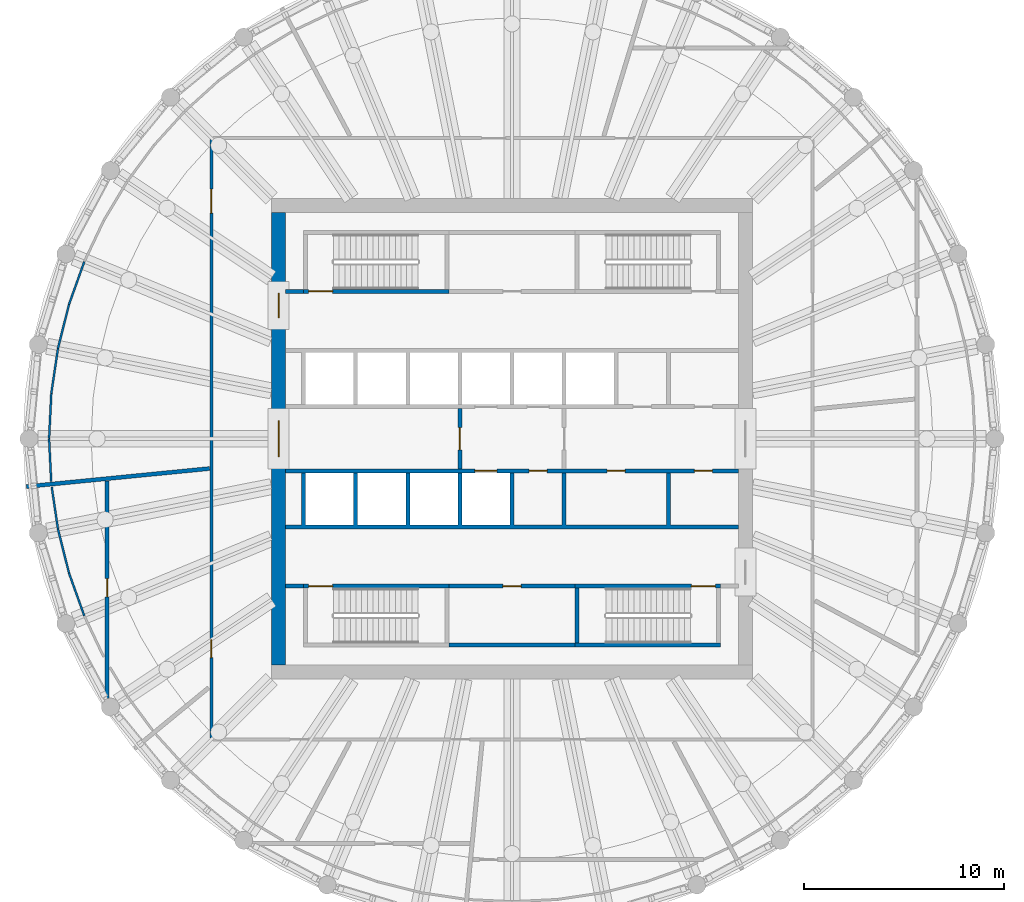
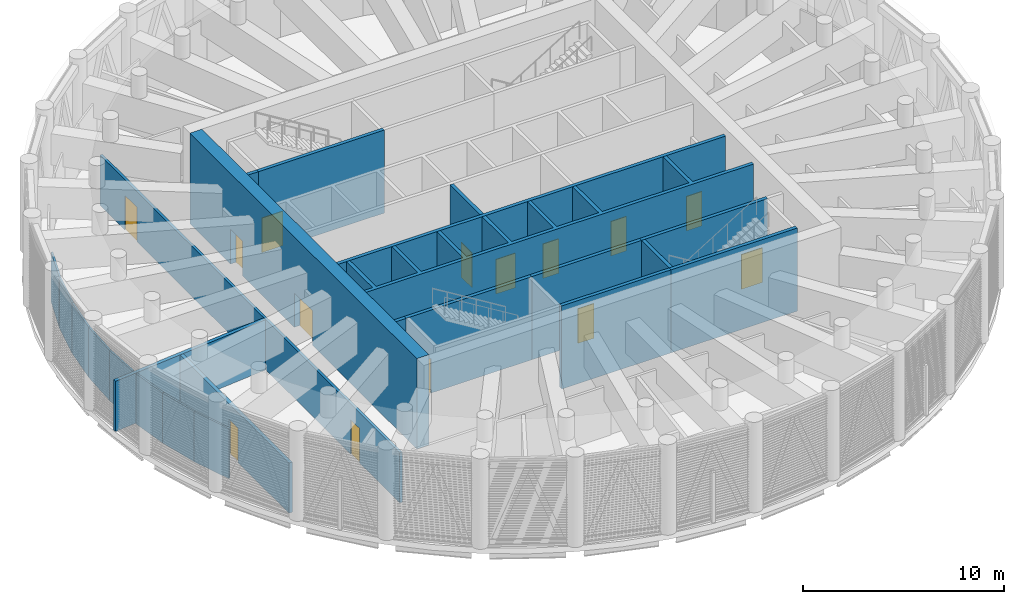
# One storey, part 6 of 19: 24 walls, 14 doors, 14 openings.
"""IFC4 building model written with IfcOpenShell, lengths in metres."""

from ifc_helpers import new_model, si_unit, direction, frame, frame_2d, origin, place, context, subcontext, project, spatial, polyline, rectangle, outline, extrude, material, layer, layer_set, type_object, element, fill, save


model = new_model("IFC4")

# Units and contexts
model_context = context("Model", 3, precision=1e-05, world=origin(), true_north=direction((0.0, 1.0)))
body_context = subcontext(model_context, "Body", "Model", "MODEL_VIEW")
ifc_project = project(units=[si_unit("LENGTHUNIT", "METRE"), si_unit("AREAUNIT", "SQUARE_METRE"), si_unit("VOLUMEUNIT", "CUBIC_METRE"), si_unit("PLANEANGLEUNIT", "RADIAN"), si_unit("MASSUNIT", "GRAM", prefix="KILO")], contexts=[model_context])

# Site, building, storey
site_placement = place(None, origin())
site = spatial("IfcSite", under=ifc_project, at=site_placement, CompositionType="ELEMENT")
building_placement = place(site_placement, origin())
building = spatial("IfcBuilding", under=site, at=building_placement, Name="Corvane Civic Tower", CompositionType="ELEMENT")
storey_placement = place(building_placement, frame((0.0, 0.0, 319.0)))
storey = spatial("IfcBuildingStorey", under=building, at=storey_placement, Name="L76", CompositionType="ELEMENT", Elevation=319.0)

# Wall, openings, doors
ifc_material_1 = material(Name="Concrete C40/50", Category="concrete")
ifc_layer_1 = layer(ifc_material_1, 0.699951171875)
ifc_layer_set_1 = layer_set([ifc_layer_1], Name="Concrete C40/50")
wall_type_1 = type_object("IfcWallType", Name="CORE WALL 700 C40/50", PredefinedType="SHEAR", material=ifc_layer_set_1)
wall_1_placement = place(storey_placement, frame((-11.64990234375, -11.300048828125, 0.0), z_axis=(0.0, 0.0, 1.0), x_axis=(0.0, 1.0, 0.0)))
wall_1 = element("IfcWall", 1, at=wall_1_placement, inside=storey, type_object=wall_type_1, Name="W-L76-core-W", PredefinedType="SHEAR", context=body_context, shape_type="SweptSolid", body=[
    extrude(rectangle(XDim=22.60009765625, YDim=0.699951171875, at=frame_2d((11.300048828125, 0.0))), origin(), (0.0, 0.0, 1.0), 5.5),
])
opening_1_placement = place(wall_1_placement, frame((10.39990234375, 0.0, 0.0)))
opening_1 = element("IfcOpeningElement", 2, at=opening_1_placement, cuts=wall_1, Name="Opening L76.C14", PredefinedType="OPENING", context=body_context, shape_type="SweptSolid", body=[
    extrude(rectangle(XDim=1.800048828125, YDim=2.10009765625, at=frame_2d((0.89990234375, 1.050048828125))), frame((0.0, 0.35986328125, 0.0), z_axis=(0.0, -1.0, 0.0), x_axis=(1.0, 0.0, 0.0)), (0.0, 0.0, 1.0), 0.719970703125),
])
opening_2_placement = place(wall_1_placement, frame((17.35009765625, 0.0, 0.0)))
opening_2 = element("IfcOpeningElement", 3, at=opening_2_placement, cuts=wall_1, Name="Opening L76.C16", PredefinedType="OPENING", context=body_context, shape_type="SweptSolid", body=[
    extrude(rectangle(XDim=1.199951171875, YDim=2.10009765625, at=frame_2d((0.60009765625, 1.050048828125))), frame((0.0, 0.35986328125, 0.0), z_axis=(0.0, -1.0, 0.0), x_axis=(1.0, 0.0, 0.0)), (0.0, 0.0, 1.0), 0.719970703125),
])
ifc_material_2 = material(Name="Steel fire door leaf", Category="steel")
door_type_1 = type_object("IfcDoorType", Name="CR-DOOR-CORE-1800", OperationType="DOUBLE_DOOR_SINGLE_SWING", PredefinedType="DOOR", material=ifc_material_2)
door_1_placement = place(opening_1_placement, origin())
door_1 = element("IfcDoor", 4, at=door_1_placement, inside=storey, type_object=door_type_1, Name="L76 door", OperationType="DOUBLE_DOOR_SINGLE_SWING", OverallHeight=2.10009765625, OverallWidth=1.800048828125, PredefinedType="DOOR", context=body_context, shape_type="SweptSolid", body=[
    extrude(rectangle(XDim=1.800048828125, YDim=2.10009765625, at=frame_2d((0.89990234375, 1.050048828125))), frame((0.0, 0.02490234375, 0.0), z_axis=(0.0, -1.0, 0.0), x_axis=(1.0, 0.0, 0.0)), (0.0, 0.0, 1.0), 0.050048828125),
])
fill(opening_1, door_1)
door_2_placement = place(opening_2_placement, origin())
door_2 = element("IfcDoor", 5, at=door_2_placement, inside=storey, type_object=door_type_1, Name="L76 door", OperationType="DOUBLE_DOOR_SINGLE_SWING", OverallHeight=2.10009765625, OverallWidth=1.199951171875, PredefinedType="DOOR", context=body_context, shape_type="SweptSolid", body=[
    extrude(rectangle(XDim=1.199951171875, YDim=2.10009765625, at=frame_2d((0.60009765625, 1.050048828125))), frame((0.0, 0.02490234375, 0.0), z_axis=(0.0, -1.0, 0.0), x_axis=(1.0, 0.0, 0.0)), (0.0, 0.0, 1.0), 0.050048828125),
])
fill(opening_2, door_2)

# Wall, opening, door
ifc_material_3 = material(Name="Concrete C30/37", Category="concrete")
ifc_layer_2 = layer(ifc_material_3, 0.199951171875)
ifc_layer_set_2 = layer_set([ifc_layer_2], Name="Concrete C30/37")
wall_type_2 = type_object("IfcWallType", Name="CR-WALL-200", PredefinedType="PARTITIONING", material=ifc_layer_set_2)
wall_2_placement = place(storey_placement, frame((-3.14990234375, -7.35009765625, 0.0), z_axis=(0.0, 0.0, 1.0), x_axis=(1.0, 0.0, 0.0)))
wall_2 = element("IfcWall", 6, at=wall_2_placement, inside=storey, type_object=wall_type_2, Name="L76 core partition wall", PredefinedType="PARTITIONING", context=body_context, shape_type="SweptSolid", body=[
    extrude(rectangle(XDim=6.2998046875, YDim=0.199951171875, at=frame_2d((3.14990234375, 0.0))), origin(), (0.0, 0.0, 1.0), 5.050048828125),
])
opening_3_placement = place(wall_2_placement, frame((2.699951171875, 0.0, 0.0)))
opening_3 = element("IfcOpeningElement", 7, at=opening_3_placement, cuts=wall_2, Name="Opening L76.C07", PredefinedType="OPENING", context=body_context, shape_type="SweptSolid", body=[
    extrude(rectangle(XDim=0.89990234375, YDim=2.10009765625, at=frame_2d((0.449951171875, 1.050048828125))), frame((0.0, 0.10986328125, 0.0), z_axis=(0.0, -1.0, 0.0), x_axis=(1.0, 0.0, 0.0)), (0.0, 0.0, 1.0), 0.219970703125),
])
ifc_material_4 = material(Name="Steel fire door leaf", Category="steel")
door_type_2 = type_object("IfcDoorType", Name="CR-DOOR-900", OperationType="SINGLE_SWING_LEFT", PredefinedType="DOOR", material=ifc_material_4)
door_3_placement = place(opening_3_placement, origin())
door_3 = element("IfcDoor", 8, at=door_3_placement, inside=storey, type_object=door_type_2, Name="L76 door", OperationType="SINGLE_SWING_LEFT", OverallHeight=2.10009765625, OverallWidth=0.89990234375, PredefinedType="DOOR", context=body_context, shape_type="SweptSolid", body=[
    extrude(rectangle(XDim=0.89990234375, YDim=2.10009765625, at=frame_2d((0.449951171875, 1.050048828125))), frame((0.0, 0.02490234375, 0.0), z_axis=(0.0, -1.0, 0.0), x_axis=(1.0, 0.0, 0.0)), (0.0, 0.0, 1.0), 0.050048828125),
])
fill(opening_3, door_3)

# Wall, openings, doors
wall_3_placement = place(storey_placement, frame((-11.300048828125, -1.60009765625, 0.0), z_axis=(0.0, 0.0, 1.0), x_axis=(1.0, 0.0, 0.0)))
wall_3 = element("IfcWall", 9, at=wall_3_placement, inside=storey, type_object=wall_type_2, Name="L76 lift shaft wall", PredefinedType="PARTITIONING", context=body_context, shape_type="SweptSolid", body=[
    extrude(rectangle(XDim=22.60009765625, YDim=0.199951171875, at=frame_2d((11.300048828125, 0.0))), origin(), (0.0, 0.0, 1.0), 5.050048828125),
])
opening_4_placement = place(wall_3_placement, frame((9.449951171875, 0.0, 0.0)))
opening_4 = element("IfcOpeningElement", 10, at=opening_4_placement, cuts=wall_3, Name="Opening LD", PredefinedType="OPENING", context=body_context, shape_type="SweptSolid", body=[
    extrude(rectangle(XDim=1.10009765625, YDim=2.10009765625, at=frame_2d((0.550048828125, 1.050048828125))), frame((0.0, 0.10986328125, 0.0), z_axis=(0.0, -1.0, 0.0), x_axis=(1.0, 0.0, 0.0)), (0.0, 0.0, 1.0), 0.219970703125),
])
opening_5_placement = place(wall_3_placement, frame((12.14990234375, 0.0, 0.0)))
opening_5 = element("IfcOpeningElement", 11, at=opening_5_placement, cuts=wall_3, Name="Opening L76.C03", PredefinedType="OPENING", context=body_context, shape_type="SweptSolid", body=[
    extrude(rectangle(XDim=0.89990234375, YDim=2.10009765625, at=frame_2d((0.449951171875, 1.050048828125))), frame((0.0, 0.10986328125, 0.0), z_axis=(0.0, -1.0, 0.0), x_axis=(1.0, 0.0, 0.0)), (0.0, 0.0, 1.0), 0.219970703125),
])
opening_6_placement = place(wall_3_placement, frame((16.050048828125, 0.0, 0.0)))
opening_6 = element("IfcOpeningElement", 12, at=opening_6_placement, cuts=wall_3, Name="Opening L76.C04", PredefinedType="OPENING", context=body_context, shape_type="SweptSolid", body=[
    extrude(rectangle(XDim=0.89990234375, YDim=2.10009765625, at=frame_2d((0.449951171875, 1.050048828125))), frame((0.0, 0.10986328125, 0.0), z_axis=(0.0, -1.0, 0.0), x_axis=(1.0, 0.0, 0.0)), (0.0, 0.0, 1.0), 0.219970703125),
])
opening_7_placement = place(wall_3_placement, frame((20.39990234375, 0.0, 0.0)))
opening_7 = element("IfcOpeningElement", 13, at=opening_7_placement, cuts=wall_3, Name="Opening L76.C05", PredefinedType="OPENING", context=body_context, shape_type="SweptSolid", body=[
    extrude(rectangle(XDim=0.89990234375, YDim=2.10009765625, at=frame_2d((0.449951171875, 1.050048828125))), frame((0.0, 0.10986328125, 0.0), z_axis=(0.0, -1.0, 0.0), x_axis=(1.0, 0.0, 0.0)), (0.0, 0.0, 1.0), 0.219970703125),
])
door_4_placement = place(opening_5_placement, origin())
door_4 = element("IfcDoor", 14, at=door_4_placement, inside=storey, type_object=door_type_2, Name="L76 door", OperationType="SINGLE_SWING_LEFT", OverallHeight=2.10009765625, OverallWidth=0.89990234375, PredefinedType="DOOR", context=body_context, shape_type="SweptSolid", body=[
    extrude(rectangle(XDim=0.89990234375, YDim=2.10009765625, at=frame_2d((0.449951171875, 1.050048828125))), frame((0.0, 0.02490234375, 0.0), z_axis=(0.0, -1.0, 0.0), x_axis=(1.0, 0.0, 0.0)), (0.0, 0.0, 1.0), 0.050048828125),
])
fill(opening_5, door_4)
door_5_placement = place(opening_6_placement, origin())
door_5 = element("IfcDoor", 15, at=door_5_placement, inside=storey, type_object=door_type_2, Name="L76 door", OperationType="SINGLE_SWING_LEFT", OverallHeight=2.10009765625, OverallWidth=0.89990234375, PredefinedType="DOOR", context=body_context, shape_type="SweptSolid", body=[
    extrude(rectangle(XDim=0.89990234375, YDim=2.10009765625, at=frame_2d((0.449951171875, 1.050048828125))), frame((0.0, 0.02490234375, 0.0), z_axis=(0.0, -1.0, 0.0), x_axis=(1.0, 0.0, 0.0)), (0.0, 0.0, 1.0), 0.050048828125),
])
fill(opening_6, door_5)
door_6_placement = place(opening_7_placement, origin())
door_6 = element("IfcDoor", 16, at=door_6_placement, inside=storey, type_object=door_type_2, Name="L76 door", OperationType="SINGLE_SWING_LEFT", OverallHeight=2.10009765625, OverallWidth=0.89990234375, PredefinedType="DOOR", context=body_context, shape_type="SweptSolid", body=[
    extrude(rectangle(XDim=0.89990234375, YDim=2.10009765625, at=frame_2d((0.449951171875, 1.050048828125))), frame((0.0, 0.02490234375, 0.0), z_axis=(0.0, -1.0, 0.0), x_axis=(1.0, 0.0, 0.0)), (0.0, 0.0, 1.0), 0.050048828125),
])
fill(opening_7, door_6)
ifc_material_5 = material(Name="Stainless steel 316 door leaves", Category="steel")
door_type_3 = type_object("IfcDoorType", Name="LD", OperationType="DOUBLE_DOOR_SLIDING", PredefinedType="DOOR", material=ifc_material_5)
door_7_placement = place(opening_4_placement, origin())
door_7 = element("IfcDoor", 17, at=door_7_placement, inside=storey, type_object=door_type_3, Name="L76 landing door", OperationType="DOUBLE_DOOR_SLIDING", OverallHeight=2.10009765625, OverallWidth=1.10009765625, PredefinedType="DOOR", context=body_context, shape_type="SweptSolid", body=[
    extrude(rectangle(XDim=1.10009765625, YDim=2.10009765625, at=frame_2d((0.550048828125, 1.050048828125))), frame((0.0, 0.02490234375, 0.0), z_axis=(0.0, -1.0, 0.0), x_axis=(1.0, 0.0, 0.0)), (0.0, 0.0, 1.0), 0.050048828125),
])
fill(opening_4, door_7)

# Wall, opening, door
wall_4_placement = place(storey_placement, frame((-2.60009765625, -1.5, 0.0), z_axis=(0.0, 0.0, 1.0), x_axis=(0.0, 1.0, 0.0)))
wall_4 = element("IfcWall", 18, at=wall_4_placement, inside=storey, type_object=wall_type_2, Name="L76 firefighting lobby wall", PredefinedType="PARTITIONING", context=body_context, shape_type="SweptSolid", body=[
    extrude(rectangle(XDim=3.0, YDim=0.199951171875, at=frame_2d((1.5, 0.0))), origin(), (0.0, 0.0, 1.0), 5.050048828125),
])
opening_8_placement = place(wall_4_placement, frame((0.949951171875, 0.0, 0.0)))
opening_8 = element("IfcOpeningElement", 19, at=opening_8_placement, cuts=wall_4, Name="Opening L76.C12", PredefinedType="OPENING", context=body_context, shape_type="SweptSolid", body=[
    extrude(rectangle(XDim=1.10009765625, YDim=2.10009765625, at=frame_2d((0.550048828125, 1.050048828125))), frame((0.0, 0.10986328125, 0.0), z_axis=(0.0, -1.0, 0.0), x_axis=(1.0, 0.0, 0.0)), (0.0, 0.0, 1.0), 0.219970703125),
])
ifc_material_6 = material(Name="Steel fire door leaf", Category="steel")
door_type_4 = type_object("IfcDoorType", Name="CR-DOOR-FFL-1100", OperationType="SINGLE_SWING_LEFT", PredefinedType="DOOR", material=ifc_material_6)
door_8_placement = place(opening_8_placement, origin())
door_8 = element("IfcDoor", 20, at=door_8_placement, inside=storey, type_object=door_type_4, Name="L76 lobby door", OperationType="SINGLE_SWING_LEFT", OverallHeight=2.10009765625, OverallWidth=1.10009765625, PredefinedType="DOOR", context=body_context, shape_type="SweptSolid", body=[
    extrude(rectangle(XDim=1.10009765625, YDim=2.10009765625, at=frame_2d((0.550048828125, 1.050048828125))), frame((0.0, 0.02490234375, 0.0), z_axis=(0.0, -1.0, 0.0), x_axis=(1.0, 0.0, 0.0)), (0.0, 0.0, 1.0), 0.050048828125),
])
fill(opening_8, door_8)

# Walls
wall_5_placement = place(storey_placement, origin())
element("IfcWall", 21, at=wall_5_placement, inside=storey, type_object=wall_type_2, Name="L76 core partition wall", PredefinedType="PARTITIONING", context=body_context, shape_type="SweptSolid", body=[
    extrude(outline(polyline([(-10.39990234375, -7.449951171875), (-11.300048828125, -7.449951171875), (-11.300048828125, -7.25), (-10.39990234375, -7.25), (-10.39990234375, -7.449951171875)])), origin(), (0.0, 0.0, 1.0), 5.050048828125),
])
wall_6_placement = place(storey_placement, origin())
element("IfcWall", 22, at=wall_6_placement, inside=storey, type_object=wall_type_2, Name="L76 core partition wall", PredefinedType="PARTITIONING", context=body_context, shape_type="SweptSolid", body=[
    extrude(outline(polyline([(-11.300048828125, 7.25), (-11.300048828125, 7.449951171875), (-10.39990234375, 7.449951171875), (-10.39990234375, 7.25), (-11.300048828125, 7.25)])), origin(), (0.0, 0.0, 1.0), 5.050048828125),
])
wall_7_placement = place(storey_placement, origin())
element("IfcWall", 23, at=wall_7_placement, inside=storey, type_object=wall_type_2, Name="L76 core partition wall", PredefinedType="PARTITIONING", context=body_context, shape_type="SweptSolid", body=[
    extrude(outline(polyline([(-10.300048828125, -1.699951171875), (-10.300048828125, -4.300048828125), (-7.89990234375, -4.300048828125), (-7.89990234375, -1.699951171875), (-7.699951171875, -1.699951171875), (-7.699951171875, -4.300048828125), (-5.300048828125, -4.300048828125), (-5.300048828125, -1.699951171875), (-5.10009765625, -1.699951171875), (-5.10009765625, -4.300048828125), (-2.699951171875, -4.300048828125), (-2.699951171875, -1.699951171875), (-2.5, -1.699951171875), (-2.5, -4.300048828125), (-0.10009765625, -4.300048828125), (-0.10009765625, -1.699951171875), (0.10009765625, -1.699951171875), (0.10009765625, -4.300048828125), (2.5, -4.300048828125), (2.5, -1.699951171875), (2.699951171875, -1.699951171875), (2.699951171875, -4.300048828125), (7.699951171875, -4.300048828125), (7.699951171875, -1.699951171875), (7.89990234375, -1.699951171875), (7.89990234375, -4.300048828125), (11.300048828125, -4.300048828125), (11.300048828125, -4.5), (-11.300048828125, -4.5), (-11.300048828125, -4.300048828125), (-10.5, -4.300048828125), (-10.5, -1.699951171875), (-10.300048828125, -1.699951171875)])), origin(), (0.0, 0.0, 1.0), 5.050048828125),
])
wall_8_placement = place(storey_placement, origin())
element("IfcWall", 24, at=wall_8_placement, inside=storey, type_object=wall_type_2, Name="L76 core partition wall", PredefinedType="PARTITIONING", context=body_context, shape_type="SweptSolid", body=[
    extrude(outline(polyline([(3.14990234375, -10.39990234375), (-3.14990234375, -10.39990234375), (-3.14990234375, -10.199951171875), (3.14990234375, -10.199951171875), (3.14990234375, -10.39990234375)])), origin(), (0.0, 0.0, 1.0), 5.050048828125),
])
ifc_material_7 = material(Name="Plasterboard")
ifc_layer_3 = layer(ifc_material_7, 0.10009765625)
ifc_layer_set_3 = layer_set([ifc_layer_3], Name="Plasterboard")
wall_type_3 = type_object("IfcWallType", Name="Partition 100 plasterboard on studs", PredefinedType="PARTITIONING", material=ifc_layer_set_3)
wall_9_placement = place(storey_placement, frame((-23.0986328125, 0.0, 0.0), z_axis=(0.0, 0.0, 1.0), x_axis=(0.049021451605, -0.99879772591, 0.0)))
element("IfcWall", 25, at=wall_9_placement, inside=storey, type_object=wall_type_3, Name="Partition L76.020", PredefinedType="PARTITIONING", context=body_context, shape_type="SweptSolid", body=[
    extrude(rectangle(XDim=2.12646484375, YDim=0.10009765625, at=frame_2d((1.063232421875, 0.0))), origin(), (0.0, 0.0, 1.0), 3.050048828125),
])
wall_10_placement = place(storey_placement, frame((-22.966796875, -2.402587890625, 0.0), z_axis=(0.0, 0.0, 1.0), x_axis=(0.146594425223, -0.9891966814, 0.0)))
element("IfcWall", 26, at=wall_10_placement, inside=storey, type_object=wall_type_3, Name="Partition L76.022", PredefinedType="PARTITIONING", context=body_context, shape_type="SweptSolid", body=[
    extrude(rectangle(XDim=2.126708984375, YDim=0.10009765625, at=frame_2d((1.0634765625, 0.0))), origin(), (0.0, 0.0, 1.0), 3.050048828125),
])
wall_11_placement = place(storey_placement, frame((-22.655029296875, -4.50634765625, 0.0), z_axis=(0.0, 0.0, 1.0), x_axis=(0.243093123489, -0.970002955311, 0.0)))
element("IfcWall", 27, at=wall_11_placement, inside=storey, type_object=wall_type_3, Name="Partition L76.024", PredefinedType="PARTITIONING", context=body_context, shape_type="SweptSolid", body=[
    extrude(rectangle(XDim=2.266845703125, YDim=0.10009765625, at=frame_2d((1.13330078125, 0.0))), origin(), (0.0, 0.0, 1.0), 3.050048828125),
])
for number, where, z_axis, x_axis, name in (
    (28, (-22.10400390625, -6.705078125, 0.0), (0.0, 0.0, 1.0), (0.336800325534, -0.941576093962, 0.0), "Partition L76.026"),
    (29, (-22.10400390625, 6.705078125, 0.0), (0.0, 0.0, 1.0), (0.336800325534, 0.941576093962, 0.0), "Partition L76.080"),
):
    element("IfcWall", number, at=place(storey_placement, frame(where, z_axis=z_axis, x_axis=x_axis)), inside=storey, type_object=wall_type_3, Name=name, PredefinedType="PARTITIONING", context=body_context, shape_type="SweptSolid", body=[
        extrude(rectangle(XDim=2.2666015625, YDim=0.10009765625, at=frame_2d((1.13330078125, 0.0))), origin(), (0.0, 0.0, 1.0), 3.050048828125),
    ])
wall_12_placement = place(storey_placement, frame((-22.655029296875, 4.50634765625, 0.0), z_axis=(0.0, 0.0, 1.0), x_axis=(0.243093123489, 0.970002955311, 0.0)))
element("IfcWall", 30, at=wall_12_placement, inside=storey, type_object=wall_type_3, Name="Partition L76.082", PredefinedType="PARTITIONING", context=body_context, shape_type="SweptSolid", body=[
    extrude(rectangle(XDim=2.266845703125, YDim=0.10009765625, at=frame_2d((1.13330078125, 0.0))), origin(), (0.0, 0.0, 1.0), 3.050048828125),
])
wall_13_placement = place(storey_placement, frame((-22.987548828125, 2.26416015625, 0.0), z_axis=(0.0, 0.0, 1.0), x_axis=(0.146696991556, 0.989181476105, 0.0)))
element("IfcWall", 31, at=wall_13_placement, inside=storey, type_object=wall_type_3, Name="Partition L76.084", PredefinedType="PARTITIONING", context=body_context, shape_type="SweptSolid", body=[
    extrude(rectangle(XDim=2.2666015625, YDim=0.10009765625, at=frame_2d((1.13330078125, 0.0))), origin(), (0.0, 0.0, 1.0), 3.050048828125),
])
wall_14_placement = place(storey_placement, frame((-23.0986328125, 0.0, 0.0), z_axis=(0.0, 0.0, 1.0), x_axis=(0.04900295216, 0.998798633699, 0.0)))
element("IfcWall", 32, at=wall_14_placement, inside=storey, type_object=wall_type_3, Name="Partition L76.086", PredefinedType="PARTITIONING", context=body_context, shape_type="SweptSolid", body=[
    extrude(rectangle(XDim=2.266845703125, YDim=0.10009765625, at=frame_2d((1.13330078125, 0.0))), origin(), (0.0, 0.0, 1.0), 3.050048828125),
])

# Wall, opening, door
ifc_material_8 = material(Name="Gypsum fibreboard")
ifc_layer_4 = layer(ifc_material_8, 0.199951171875)
ifc_layer_set_4 = layer_set([ifc_layer_4], Name="Gypsum fibreboard")
wall_type_4 = type_object("IfcWallType", Name="Plant and refuge wall 200 EI 120", PredefinedType="PARTITIONING", material=ifc_layer_set_4)
wall_15_placement = place(storey_placement, frame((-20.199951171875, -12.948486328125, 0.0), z_axis=(0.0, 0.0, 1.0), x_axis=(0.0, 1.0, 0.0)))
wall_15 = element("IfcWall", 33, at=wall_15_placement, inside=storey, type_object=wall_type_4, Name="Partition L76.010", PredefinedType="PARTITIONING", context=body_context, shape_type="SweptSolid", body=[
    extrude(rectangle(XDim=10.8486328125, YDim=0.199951171875, at=frame_2d((5.42431640625, 0.0))), origin(), (0.0, 0.0, 1.0), 3.050048828125),
])
opening_9_placement = place(wall_15_placement, frame((5.0634765625, 0.0, 0.0)))
opening_9 = element("IfcOpeningElement", 34, at=opening_9_placement, cuts=wall_15, Name="Opening L76.007", PredefinedType="OPENING", context=body_context, shape_type="SweptSolid", body=[
    extrude(rectangle(XDim=0.89990234375, YDim=2.10009765625, at=frame_2d((0.449951171875, 1.050048828125))), frame((0.0, 0.10986328125, 0.0), z_axis=(0.0, -1.0, 0.0), x_axis=(1.0, 0.0, 0.0)), (0.0, 0.0, 1.0), 0.219970703125),
])
ifc_material_9 = material(Name="Steel and timber", Category="steel")
door_type_5 = type_object("IfcDoorType", Name="Fire door FD30S 900", OperationType="NOTDEFINED", PredefinedType="DOOR", material=ifc_material_9)
door_9_placement = place(opening_9_placement, origin())
door_9 = element("IfcDoor", 35, at=door_9_placement, inside=storey, type_object=door_type_5, Name="Door L76.007", OperationType="SINGLE_SWING_LEFT", OverallHeight=2.10009765625, OverallWidth=0.89990234375, PredefinedType="DOOR", context=body_context, shape_type="SweptSolid", body=[
    extrude(rectangle(XDim=0.89990234375, YDim=2.10009765625, at=frame_2d((0.449951171875, 1.050048828125))), frame((0.0, 0.02490234375, 0.0), z_axis=(0.0, -1.0, 0.0), x_axis=(1.0, 0.0, 0.0)), (0.0, 0.0, 1.0), 0.050048828125),
])
fill(opening_9, door_9)

# Wall
wall_16_placement = place(storey_placement, frame((-24.23291015625, -2.38671875, 0.0), z_axis=(0.0, 0.0, 1.0), x_axis=(0.995183616179, 0.098028414702, 0.0)))
element("IfcWall", 36, at=wall_16_placement, inside=storey, type_object=wall_type_4, Name="Partition L76.013", PredefinedType="PARTITIONING", context=body_context, shape_type="SweptSolid", body=[
    extrude(rectangle(XDim=9.1923828125, YDim=0.199951171875, at=frame_2d((4.59619140625, 0.0))), origin(), (0.0, 0.0, 1.0), 3.050048828125),
])

# Wall, opening, door
ifc_material_10 = material(Name="Concrete C50/60", Category="concrete")
ifc_layer_5 = layer(ifc_material_10, 0.199951171875)
ifc_layer_set_5 = layer_set([ifc_layer_5], Name="Concrete C50/60")
wall_type_5 = type_object("IfcWallType", Name="ST-WALL-200", PredefinedType="SHEAR", material=ifc_layer_set_5)
wall_17_placement = place(storey_placement, frame((-10.39990234375, -7.35009765625, 0.0), z_axis=(0.0, 0.0, 1.0), x_axis=(1.0, 0.0, 0.0)))
wall_17 = element("IfcWall", 37, at=wall_17_placement, inside=storey, type_object=wall_type_5, Name="L76 stair enclosure wall", PredefinedType="SHEAR", context=body_context, shape_type="SweptSolid", body=[
    extrude(rectangle(XDim=7.25, YDim=0.199951171875, at=frame_2d((3.625, 0.0))), origin(), (0.0, 0.0, 1.0), 5.050048828125),
])
opening_10_placement = place(wall_17_placement, frame((0.25, 0.0, 0.0)))
opening_10 = element("IfcOpeningElement", 38, at=opening_10_placement, cuts=wall_17, Name="Opening L76.C11", PredefinedType="OPENING", context=body_context, shape_type="SweptSolid", body=[
    extrude(rectangle(XDim=1.199951171875, YDim=2.10009765625, at=frame_2d((0.60009765625, 1.050048828125))), frame((0.0, 0.10986328125, 0.0), z_axis=(0.0, -1.0, 0.0), x_axis=(1.0, 0.0, 0.0)), (0.0, 0.0, 1.0), 0.219970703125),
])
ifc_material_11 = material(Name="Steel fire door leaf", Category="steel")
door_type_6 = type_object("IfcDoorType", Name="ST-DOOR-1200", OperationType="SINGLE_SWING_RIGHT", PredefinedType="DOOR", material=ifc_material_11)
door_10_placement = place(opening_10_placement, origin())
door_10 = element("IfcDoor", 39, at=door_10_placement, inside=storey, type_object=door_type_6, Name="L76 stair door", OperationType="SINGLE_SWING_RIGHT", OverallHeight=2.10009765625, OverallWidth=1.199951171875, PredefinedType="DOOR", context=body_context, shape_type="SweptSolid", body=[
    extrude(rectangle(XDim=1.199951171875, YDim=2.10009765625, at=frame_2d((0.60009765625, 1.050048828125))), frame((0.0, 0.02490234375, 0.0), z_axis=(0.0, -1.0, 0.0), x_axis=(1.0, 0.0, 0.0)), (0.0, 0.0, 1.0), 0.050048828125),
])
fill(opening_10, door_10)

wall_18_placement = place(storey_placement, frame((3.14990234375, -7.35009765625, 0.0), z_axis=(0.0, 0.0, 1.0), x_axis=(1.0, 0.0, 0.0)))
wall_18 = element("IfcWall", 40, at=wall_18_placement, inside=storey, type_object=wall_type_5, Name="L76 stair enclosure wall", PredefinedType="SHEAR", context=body_context, shape_type="SweptSolid", body=[
    extrude(rectangle(XDim=7.25, YDim=0.199951171875, at=frame_2d((3.625, 0.0))), origin(), (0.0, 0.0, 1.0), 5.050048828125),
])
opening_11_placement = place(wall_18_placement, frame((5.800048828125, 0.0, 0.0)))
opening_11 = element("IfcOpeningElement", 41, at=opening_11_placement, cuts=wall_18, Name="Opening L76.C10", PredefinedType="OPENING", context=body_context, shape_type="SweptSolid", body=[
    extrude(rectangle(XDim=1.199951171875, YDim=2.10009765625, at=frame_2d((0.60009765625, 1.050048828125))), frame((0.0, 0.10986328125, 0.0), z_axis=(0.0, -1.0, 0.0), x_axis=(1.0, 0.0, 0.0)), (0.0, 0.0, 1.0), 0.219970703125),
])
door_11_placement = place(opening_11_placement, origin())
door_11 = element("IfcDoor", 42, at=door_11_placement, inside=storey, type_object=door_type_6, Name="L76 stair door", OperationType="SINGLE_SWING_RIGHT", OverallHeight=2.10009765625, OverallWidth=1.199951171875, PredefinedType="DOOR", context=body_context, shape_type="SweptSolid", body=[
    extrude(rectangle(XDim=1.199951171875, YDim=2.10009765625, at=frame_2d((0.60009765625, 1.050048828125))), frame((0.0, 0.02490234375, 0.0), z_axis=(0.0, -1.0, 0.0), x_axis=(1.0, 0.0, 0.0)), (0.0, 0.0, 1.0), 0.050048828125),
])
fill(opening_11, door_11)

wall_19_placement = place(storey_placement, frame((-10.39990234375, 7.35009765625, 0.0), z_axis=(0.0, 0.0, 1.0), x_axis=(1.0, 0.0, 0.0)))
wall_19 = element("IfcWall", 43, at=wall_19_placement, inside=storey, type_object=wall_type_5, Name="L76 stair enclosure wall", PredefinedType="SHEAR", context=body_context, shape_type="SweptSolid", body=[
    extrude(rectangle(XDim=7.25, YDim=0.199951171875, at=frame_2d((3.625, 0.0))), origin(), (0.0, 0.0, 1.0), 5.050048828125),
])
opening_12_placement = place(wall_19_placement, frame((0.25, 0.0, 0.0)))
opening_12 = element("IfcOpeningElement", 44, at=opening_12_placement, cuts=wall_19, Name="Opening L76.C09", PredefinedType="OPENING", context=body_context, shape_type="SweptSolid", body=[
    extrude(rectangle(XDim=1.199951171875, YDim=2.10009765625, at=frame_2d((0.60009765625, 1.050048828125))), frame((0.0, 0.10986328125, 0.0), z_axis=(0.0, -1.0, 0.0), x_axis=(1.0, 0.0, 0.0)), (0.0, 0.0, 1.0), 0.219970703125),
])
door_12_placement = place(opening_12_placement, origin())
door_12 = element("IfcDoor", 45, at=door_12_placement, inside=storey, type_object=door_type_6, Name="L76 stair door", OperationType="SINGLE_SWING_RIGHT", OverallHeight=2.10009765625, OverallWidth=1.199951171875, PredefinedType="DOOR", context=body_context, shape_type="SweptSolid", body=[
    extrude(rectangle(XDim=1.199951171875, YDim=2.10009765625, at=frame_2d((0.60009765625, 1.050048828125))), frame((0.0, 0.02490234375, 0.0), z_axis=(0.0, -1.0, 0.0), x_axis=(1.0, 0.0, 0.0)), (0.0, 0.0, 1.0), 0.050048828125),
])
fill(opening_12, door_12)

# Walls
wall_20_placement = place(storey_placement, origin())
element("IfcWall", 46, at=wall_20_placement, inside=storey, type_object=wall_type_5, Name="L76 stair enclosure wall", PredefinedType="SHEAR", context=body_context, shape_type="SweptSolid", body=[
    extrude(outline(polyline([(10.39990234375, -10.39990234375), (3.14990234375, -10.39990234375), (3.14990234375, -10.199951171875), (10.39990234375, -10.199951171875), (10.39990234375, -10.39990234375)])), origin(), (0.0, 0.0, 1.0), 5.050048828125),
])
wall_21_placement = place(storey_placement, origin())
element("IfcWall", 47, at=wall_21_placement, inside=storey, type_object=wall_type_5, Name="L76 stair enclosure wall", PredefinedType="SHEAR", context=body_context, shape_type="SweptSolid", body=[
    extrude(outline(polyline([(3.35009765625, -7.449951171875), (3.35009765625, -10.199951171875), (3.14990234375, -10.199951171875), (3.14990234375, -7.449951171875), (3.35009765625, -7.449951171875)])), origin(), (0.0, 0.0, 1.0), 5.050048828125),
])

# Wall, openings, doors
ifc_material_12 = material(Name="Plasterboard")
ifc_layer_6 = layer(ifc_material_12, 0.14990234375)
ifc_layer_set_6 = layer_set([ifc_layer_6], Name="Plasterboard")
wall_type_6 = type_object("IfcWallType", Name="Tenancy wall 150 EI 60", PredefinedType="PARTITIONING", material=ifc_layer_set_6)
wall_22_placement = place(storey_placement, frame((-15.0, -14.925048828125, 0.0), z_axis=(0.0, 0.0, 1.0), x_axis=(0.0, 1.0, 0.0)))
wall_22 = element("IfcWall", 48, at=wall_22_placement, inside=storey, type_object=wall_type_6, Name="Partition L76.008", PredefinedType="PARTITIONING", context=body_context, shape_type="SweptSolid", body=[
    extrude(rectangle(XDim=29.85009765625, YDim=0.14990234375, at=frame_2d((14.925048828125, 0.0))), origin(), (0.0, 0.0, 1.0), 3.050048828125),
])
opening_13_placement = place(wall_22_placement, frame((4.005859375, 0.0, 0.0)))
opening_13 = element("IfcOpeningElement", 49, at=opening_13_placement, cuts=wall_22, Name="Opening L76.008", PredefinedType="OPENING", context=body_context, shape_type="SweptSolid", body=[
    extrude(rectangle(XDim=0.89990234375, YDim=2.10009765625, at=frame_2d((0.449951171875, 1.050048828125))), frame((0.0, 0.0849609375, 0.0), z_axis=(0.0, -1.0, 0.0), x_axis=(1.0, 0.0, 0.0)), (0.0, 0.0, 1.0), 0.169921875),
])
opening_14_placement = place(wall_22_placement, frame((26.177734375, 0.0, 0.0)))
opening_14 = element("IfcOpeningElement", 50, at=opening_14_placement, cuts=wall_22, Name="Opening L76.009", PredefinedType="OPENING", context=body_context, shape_type="SweptSolid", body=[
    extrude(rectangle(XDim=1.199951171875, YDim=2.10009765625, at=frame_2d((0.60009765625, 1.050048828125))), frame((0.0, 0.0849609375, 0.0), z_axis=(0.0, -1.0, 0.0), x_axis=(1.0, 0.0, 0.0)), (0.0, 0.0, 1.0), 0.169921875),
])
door_13_placement = place(opening_13_placement, origin())
door_13 = element("IfcDoor", 51, at=door_13_placement, inside=storey, type_object=door_type_5, Name="Door L76.008", OperationType="SINGLE_SWING_RIGHT", OverallHeight=2.10009765625, OverallWidth=0.89990234375, PredefinedType="DOOR", context=body_context, shape_type="SweptSolid", body=[
    extrude(rectangle(XDim=0.89990234375, YDim=2.10009765625, at=frame_2d((0.449951171875, 1.050048828125))), frame((0.0, 0.02490234375, 0.0), z_axis=(0.0, -1.0, 0.0), x_axis=(1.0, 0.0, 0.0)), (0.0, 0.0, 1.0), 0.050048828125),
])
fill(opening_13, door_13)
ifc_material_13 = material(Name="Steel and timber", Category="steel")
door_type_7 = type_object("IfcDoorType", Name="Fire door FD60 1200", OperationType="NOTDEFINED", PredefinedType="DOOR", material=ifc_material_13)
door_14_placement = place(opening_14_placement, origin())
door_14 = element("IfcDoor", 52, at=door_14_placement, inside=storey, type_object=door_type_7, Name="Door L76.009", OperationType="SINGLE_SWING_LEFT", OverallHeight=2.10009765625, OverallWidth=1.199951171875, PredefinedType="DOOR", context=body_context, shape_type="SweptSolid", body=[
    extrude(rectangle(XDim=1.199951171875, YDim=2.10009765625, at=frame_2d((0.60009765625, 1.050048828125))), frame((0.0, 0.02490234375, 0.0), z_axis=(0.0, -1.0, 0.0), x_axis=(1.0, 0.0, 0.0)), (0.0, 0.0, 1.0), 0.050048828125),
])
fill(opening_14, door_14)

save(model, "model.ifc")
